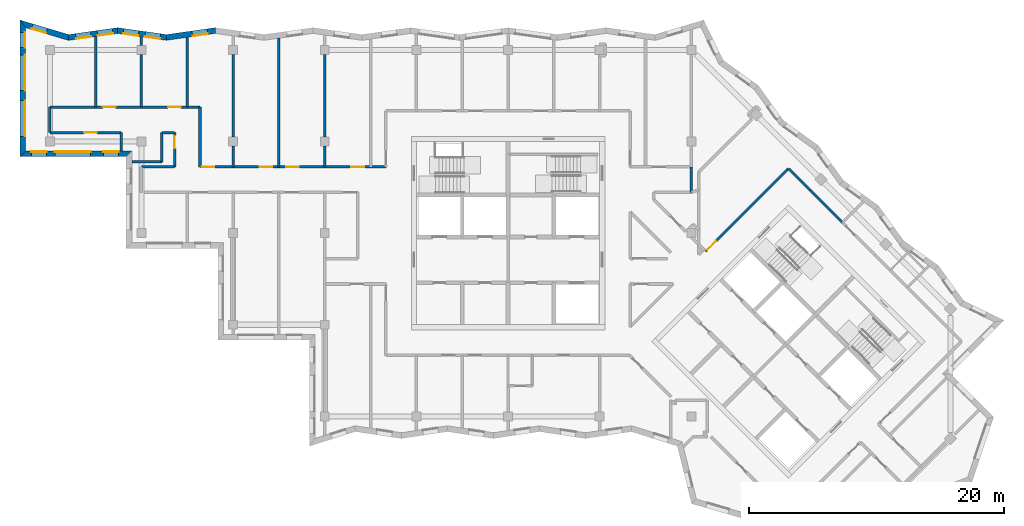
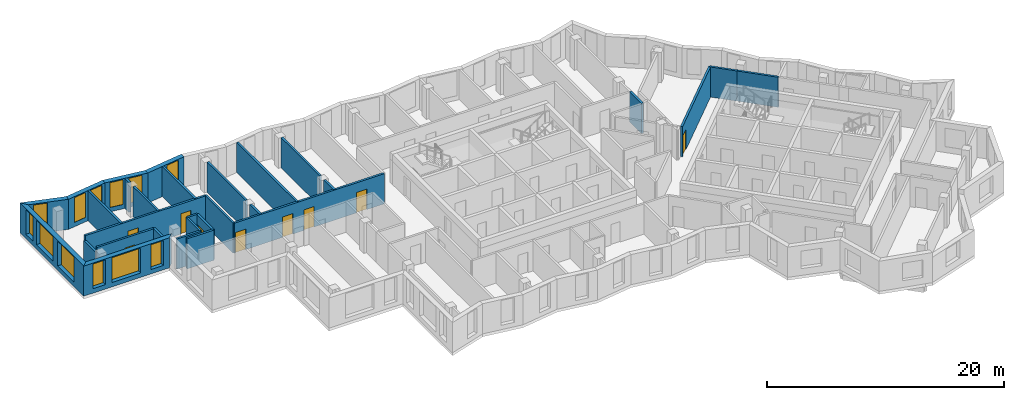
# One storey, part 5 of 11: 30 walls, 12 windows, 9 doors, 21 openings.
"""IFC4 building model written with IfcOpenShell, lengths in metres."""

from ifc_helpers import new_model, si_unit, direction, frame, frame_2d, origin, place, context, subcontext, project, spatial, polyline, rectangle, outline, extrude, material, layer, layer_set, type_object, element, fill, save


model = new_model("IFC4")

# Units and contexts
model_context = context("Model", 3, precision=1e-05, world=origin(), true_north=direction((0.0, 1.0)))
body_context = subcontext(model_context, "Body", "Model", "MODEL_VIEW")
ifc_project = project(units=[si_unit("LENGTHUNIT", "METRE"), si_unit("AREAUNIT", "SQUARE_METRE"), si_unit("VOLUMEUNIT", "CUBIC_METRE"), si_unit("PLANEANGLEUNIT", "RADIAN"), si_unit("MASSUNIT", "GRAM", prefix="KILO")], contexts=[model_context])

# Site, building, storey
site_placement = place(None, origin())
site = spatial("IfcSite", under=ifc_project, at=site_placement, CompositionType="ELEMENT")
building_placement = place(site_placement, origin())
building = spatial("IfcBuilding", under=site, at=building_placement, Name="Windrow Commons", CompositionType="ELEMENT")
storey_placement = place(building_placement, frame((0.0, 0.0, 271.0)))
storey = spatial("IfcBuildingStorey", under=building, at=storey_placement, Name="L74", CompositionType="ELEMENT", Elevation=271.0)

# Wall, opening, window
ifc_material_1 = material(Name="Brick masonry, red clay brick", Category="masonry")
ifc_layer_1 = layer(ifc_material_1, 0.45)
ifc_layer_set_1 = layer_set([ifc_layer_1], Name="Brick facade wall 450")
wall_type_1 = type_object("IfcWallType", Name="Brick facade wall 450", PredefinedType="SOLIDWALL", material=ifc_layer_set_1)
wall_1_placement = place(storey_placement, frame((41.8043, 73.5148, 0.0), z_axis=(0.0, 0.0, 1.0), x_axis=(-0.9901681853, -0.1398819675, 0.0)))
wall_1 = element("IfcWall", 1, at=wall_1_placement, inside=storey, type_object=wall_type_1, Name="Brick facade wall L74 27", PredefinedType="SOLIDWALL", context=body_context, shape_type="SweptSolid", body=[
    extrude(outline(polyline([(-0.0318, -0.225), (3.8429, -0.225), (3.9065, 0.225), (0.0318, 0.225), (-0.0318, -0.225)])), origin(), (0.0, 0.0, 1.0), 3.1),
])
opening_1_placement = place(wall_1_placement, frame((0.629, 0.0, 0.45)))
opening_1 = element("IfcOpeningElement", 2, at=opening_1_placement, cuts=wall_1, Name="Opening W7F", PredefinedType="OPENING", context=body_context, shape_type="SweptSolid", body=[
    extrude(rectangle(XDim=1.2, YDim=2.55, at=frame_2d((0.6, 1.275))), frame((0.0, 0.235, 0.0), z_axis=(0.0, -1.0, 0.0), x_axis=(1.0, 0.0, 0.0)), (0.0, 0.0, 1.0), 0.47),
])
ifc_material_2 = material(Name="Clear float glass in anodised aluminium frame", Category="aluminium")
window_type_1 = type_object("IfcWindowType", Name="Window W7 notch 1200x2550", PartitioningType="SINGLE_PANEL", PredefinedType="WINDOW", material=ifc_material_2)
window_1_placement = place(opening_1_placement, origin())
window_1 = element("IfcWindow", 3, at=window_1_placement, inside=storey, type_object=window_type_1, Name="Window L74 27.1", OverallHeight=2.55, OverallWidth=1.2, PartitioningType="SINGLE_PANEL", PredefinedType="WINDOW", context=body_context, shape_type="SweptSolid", body=[
    extrude(rectangle(XDim=1.2, YDim=2.55, at=frame_2d((0.6, 1.275))), frame((0.0, 0.205, 0.0), z_axis=(0.0, -1.0, 0.0), x_axis=(1.0, 0.0, 0.0)), (0.0, 0.0, 1.0), 0.06),
])
fill(opening_1, window_1)

# Wall, openings, windows
wall_2_placement = place(storey_placement, frame((37.9677, 72.9728, 0.0), z_axis=(0.0, 0.0, 1.0), x_axis=(-0.9901676803, 0.1398855422, 0.0)))
wall_2 = element("IfcWall", 4, at=wall_2_placement, inside=storey, type_object=wall_type_1, Name="Brick facade wall L74 28", PredefinedType="SOLIDWALL", context=body_context, shape_type="SweptSolid", body=[
    extrude(outline(polyline([(0.0318, -0.225), (3.9065, -0.225), (3.8429, 0.225), (-0.0318, 0.225), (0.0318, -0.225)])), origin(), (0.0, 0.0, 1.0), 3.1),
])
opening_2_placement = place(wall_2_placement, frame((0.4936, 0.0, 0.45)))
opening_2 = element("IfcOpeningElement", 5, at=opening_2_placement, cuts=wall_2, Name="Opening W7F", PredefinedType="OPENING", context=body_context, shape_type="SweptSolid", body=[
    extrude(rectangle(XDim=1.2, YDim=2.55, at=frame_2d((0.6, 1.275))), frame((0.0, 0.235, 0.0), z_axis=(0.0, -1.0, 0.0), x_axis=(1.0, 0.0, 0.0)), (0.0, 0.0, 1.0), 0.47),
])
opening_3_placement = place(wall_2_placement, frame((2.2151, 0.0, 0.45)))
opening_3 = element("IfcOpeningElement", 6, at=opening_3_placement, cuts=wall_2, Name="Opening W7F", PredefinedType="OPENING", context=body_context, shape_type="SweptSolid", body=[
    extrude(rectangle(XDim=1.2, YDim=2.55, at=frame_2d((0.6, 1.275))), frame((0.0, 0.235, 0.0), z_axis=(0.0, -1.0, 0.0), x_axis=(1.0, 0.0, 0.0)), (0.0, 0.0, 1.0), 0.47),
])
window_2_placement = place(opening_2_placement, origin())
window_2 = element("IfcWindow", 7, at=window_2_placement, inside=storey, type_object=window_type_1, Name="Window L74 28.1", OverallHeight=2.55, OverallWidth=1.2, PartitioningType="SINGLE_PANEL", PredefinedType="WINDOW", context=body_context, shape_type="SweptSolid", body=[
    extrude(rectangle(XDim=1.2, YDim=2.55, at=frame_2d((0.6, 1.275))), frame((0.0, 0.205, 0.0), z_axis=(0.0, -1.0, 0.0), x_axis=(1.0, 0.0, 0.0)), (0.0, 0.0, 1.0), 0.06),
])
fill(opening_2, window_2)
window_3_placement = place(opening_3_placement, origin())
window_3 = element("IfcWindow", 8, at=window_3_placement, inside=storey, type_object=window_type_1, Name="Window L74 28.2", OverallHeight=2.55, OverallWidth=1.2, PartitioningType="SINGLE_PANEL", PredefinedType="WINDOW", context=body_context, shape_type="SweptSolid", body=[
    extrude(rectangle(XDim=1.2, YDim=2.55, at=frame_2d((0.6, 1.275))), frame((0.0, 0.205, 0.0), z_axis=(0.0, -1.0, 0.0), x_axis=(1.0, 0.0, 0.0)), (0.0, 0.0, 1.0), 0.06),
])
fill(opening_3, window_3)

wall_3_placement = place(storey_placement, frame((34.1312, 73.5148, 0.0), z_axis=(0.0, 0.0, 1.0), x_axis=(-0.9901656891, -0.1398996361, 0.0)))
wall_3 = element("IfcWall", 9, at=wall_3_placement, inside=storey, type_object=wall_type_1, Name="Brick facade wall L74 29", PredefinedType="SOLIDWALL", context=body_context, shape_type="SweptSolid", body=[
    extrude(outline(polyline([(-0.0318, -0.225), (3.8429, -0.225), (3.9411, 0.225), (0.0318, 0.225), (-0.0318, -0.225)])), origin(), (0.0, 0.0, 1.0), 3.1),
])
opening_4_placement = place(wall_3_placement, frame((0.3901, 0.0, 0.45)))
opening_4 = element("IfcOpeningElement", 10, at=opening_4_placement, cuts=wall_3, Name="Opening W7F", PredefinedType="OPENING", context=body_context, shape_type="SweptSolid", body=[
    extrude(rectangle(XDim=1.2, YDim=2.55, at=frame_2d((0.6, 1.275))), frame((0.0, 0.235, 0.0), z_axis=(0.0, -1.0, 0.0), x_axis=(1.0, 0.0, 0.0)), (0.0, 0.0, 1.0), 0.47),
])
opening_5_placement = place(wall_3_placement, frame((2.1202, 0.0, 0.45)))
opening_5 = element("IfcOpeningElement", 11, at=opening_5_placement, cuts=wall_3, Name="Opening W7F", PredefinedType="OPENING", context=body_context, shape_type="SweptSolid", body=[
    extrude(rectangle(XDim=1.2, YDim=2.55, at=frame_2d((0.6, 1.275))), frame((0.0, 0.235, 0.0), z_axis=(0.0, -1.0, 0.0), x_axis=(1.0, 0.0, 0.0)), (0.0, 0.0, 1.0), 0.47),
])
window_4_placement = place(opening_4_placement, origin())
window_4 = element("IfcWindow", 12, at=window_4_placement, inside=storey, type_object=window_type_1, Name="Window L74 29.1", OverallHeight=2.55, OverallWidth=1.2, PartitioningType="SINGLE_PANEL", PredefinedType="WINDOW", context=body_context, shape_type="SweptSolid", body=[
    extrude(rectangle(XDim=1.2, YDim=2.55, at=frame_2d((0.6, 1.275))), frame((0.0, 0.205, 0.0), z_axis=(0.0, -1.0, 0.0), x_axis=(1.0, 0.0, 0.0)), (0.0, 0.0, 1.0), 0.06),
])
fill(opening_4, window_4)
window_5_placement = place(opening_5_placement, origin())
window_5 = element("IfcWindow", 13, at=window_5_placement, inside=storey, type_object=window_type_1, Name="Window L74 29.2", OverallHeight=2.55, OverallWidth=1.2, PartitioningType="SINGLE_PANEL", PredefinedType="WINDOW", context=body_context, shape_type="SweptSolid", body=[
    extrude(rectangle(XDim=1.2, YDim=2.55, at=frame_2d((0.6, 1.275))), frame((0.0, 0.205, 0.0), z_axis=(0.0, -1.0, 0.0), x_axis=(1.0, 0.0, 0.0)), (0.0, 0.0, 1.0), 0.06),
])
fill(opening_5, window_5)

# Wall, opening, window
wall_4_placement = place(storey_placement, frame((30.2774, 72.9703, 0.0), z_axis=(0.0, 0.0, 1.0), x_axis=(-0.9584347191, 0.2853119156, 0.0)))
wall_4 = element("IfcWall", 14, at=wall_4_placement, inside=storey, type_object=wall_type_1, Name="Brick facade wall L74 30", PredefinedType="SOLIDWALL", context=body_context, shape_type="SweptSolid", body=[
    extrude(outline(polyline([(0.0491, -0.225), (4.052, -0.225), (3.4486, 0.225), (-0.0491, 0.225), (0.0491, -0.225)])), origin(), (0.0, 0.0, 1.0), 3.1),
])
opening_6_placement = place(wall_4_placement, frame((1.795, 0.0, 0.45)))
opening_6 = element("IfcOpeningElement", 15, at=opening_6_placement, cuts=wall_4, Name="Opening W7F", PredefinedType="OPENING", context=body_context, shape_type="SweptSolid", body=[
    extrude(rectangle(XDim=1.2, YDim=2.55, at=frame_2d((0.6, 1.275))), frame((0.0, 0.235, 0.0), z_axis=(0.0, -1.0, 0.0), x_axis=(1.0, 0.0, 0.0)), (0.0, 0.0, 1.0), 0.47),
])
window_6_placement = place(opening_6_placement, origin())
window_6 = element("IfcWindow", 16, at=window_6_placement, inside=storey, type_object=window_type_1, Name="Window L74 30.1", OverallHeight=2.55, OverallWidth=1.2, PartitioningType="SINGLE_PANEL", PredefinedType="WINDOW", context=body_context, shape_type="SweptSolid", body=[
    extrude(rectangle(XDim=1.2, YDim=2.55, at=frame_2d((0.6, 1.275))), frame((0.0, 0.205, 0.0), z_axis=(0.0, -1.0, 0.0), x_axis=(1.0, 0.0, 0.0)), (0.0, 0.0, 1.0), 0.06),
])
fill(opening_6, window_6)

# Wall, openings, windows
wall_5_placement = place(storey_placement, frame((26.683, 74.0403, 0.0), z_axis=(0.0, 0.0, 1.0), x_axis=(0.0, -1.0, 0.0)))
wall_5 = element("IfcWall", 17, at=wall_5_placement, inside=storey, type_object=wall_type_1, Name="Brick facade wall L74 31", PredefinedType="SOLIDWALL", context=body_context, shape_type="SweptSolid", body=[
    extrude(outline(polyline([(-0.3017, -0.225), (10.4403, -0.225), (9.9903, 0.225), (0.3017, 0.225), (-0.3017, -0.225)])), origin(), (0.0, 0.0, 1.0), 3.1),
])
opening_7_placement = place(wall_5_placement, frame((2.4403, 0.0, 0.45)))
opening_7 = element("IfcOpeningElement", 18, at=opening_7_placement, cuts=wall_5, Name="Opening W1V", PredefinedType="OPENING", context=body_context, shape_type="SweptSolid", body=[
    extrude(rectangle(XDim=2.8, YDim=2.55, at=frame_2d((1.4, 1.275))), frame((0.0, 0.235, 0.0), z_axis=(0.0, -1.0, 0.0), x_axis=(1.0, 0.0, 0.0)), (0.0, 0.0, 1.0), 0.47),
])
opening_8_placement = place(wall_5_placement, frame((6.0403, 0.0, 0.45)))
opening_8 = element("IfcOpeningElement", 19, at=opening_8_placement, cuts=wall_5, Name="Opening W1V", PredefinedType="OPENING", context=body_context, shape_type="SweptSolid", body=[
    extrude(rectangle(XDim=2.8, YDim=2.55, at=frame_2d((1.4, 1.275))), frame((0.0, 0.235, 0.0), z_axis=(0.0, -1.0, 0.0), x_axis=(1.0, 0.0, 0.0)), (0.0, 0.0, 1.0), 0.47),
])
opening_9_placement = place(wall_5_placement, frame((0.671, 0.0, 0.45)))
opening_9 = element("IfcOpeningElement", 20, at=opening_9_placement, cuts=wall_5, Name="Opening W7F", PredefinedType="OPENING", context=body_context, shape_type="SweptSolid", body=[
    extrude(rectangle(XDim=1.2, YDim=2.55, at=frame_2d((0.6, 1.275))), frame((0.0, 0.235, 0.0), z_axis=(0.0, -1.0, 0.0), x_axis=(1.0, 0.0, 0.0)), (0.0, 0.0, 1.0), 0.47),
])
ifc_material_3 = material(Name="Clear float glass in anodised aluminium frame", Category="aluminium")
window_type_2 = type_object("IfcWindowType", Name="Window W1V bedroom 2800x2550", PartitioningType="SINGLE_PANEL", PredefinedType="WINDOW", material=ifc_material_3)
window_7_placement = place(opening_7_placement, origin())
window_7 = element("IfcWindow", 21, at=window_7_placement, inside=storey, type_object=window_type_2, Name="Window L74 31.1", OverallHeight=2.55, OverallWidth=2.8, PartitioningType="SINGLE_PANEL", PredefinedType="WINDOW", context=body_context, shape_type="SweptSolid", body=[
    extrude(rectangle(XDim=2.8, YDim=2.55, at=frame_2d((1.4, 1.275))), frame((0.0, 0.205, 0.0), z_axis=(0.0, -1.0, 0.0), x_axis=(1.0, 0.0, 0.0)), (0.0, 0.0, 1.0), 0.06),
])
fill(opening_7, window_7)
window_8_placement = place(opening_8_placement, origin())
window_8 = element("IfcWindow", 22, at=window_8_placement, inside=storey, type_object=window_type_2, Name="Window L74 31.2", OverallHeight=2.55, OverallWidth=2.8, PartitioningType="SINGLE_PANEL", PredefinedType="WINDOW", context=body_context, shape_type="SweptSolid", body=[
    extrude(rectangle(XDim=2.8, YDim=2.55, at=frame_2d((1.4, 1.275))), frame((0.0, 0.205, 0.0), z_axis=(0.0, -1.0, 0.0), x_axis=(1.0, 0.0, 0.0)), (0.0, 0.0, 1.0), 0.06),
])
fill(opening_8, window_8)
window_9_placement = place(opening_9_placement, origin())
window_9 = element("IfcWindow", 23, at=window_9_placement, inside=storey, type_object=window_type_1, Name="Window L74 31.3", OverallHeight=2.55, OverallWidth=1.2, PartitioningType="SINGLE_PANEL", PredefinedType="WINDOW", context=body_context, shape_type="SweptSolid", body=[
    extrude(rectangle(XDim=1.2, YDim=2.55, at=frame_2d((0.6, 1.275))), frame((0.0, 0.205, 0.0), z_axis=(0.0, -1.0, 0.0), x_axis=(1.0, 0.0, 0.0)), (0.0, 0.0, 1.0), 0.06),
])
fill(opening_9, window_9)

wall_6_placement = place(storey_placement, frame((26.683, 63.825, 0.0), z_axis=(0.0, 0.0, 1.0), x_axis=(1.0, 0.0, 0.0)))
wall_6 = element("IfcWall", 24, at=wall_6_placement, inside=storey, type_object=wall_type_1, Name="Brick facade wall L74 32", PredefinedType="SOLIDWALL", context=body_context, shape_type="SweptSolid", body=[
    extrude(outline(polyline([(-0.225, -0.225), (8.117, -0.225), (8.567, 0.225), (0.225, 0.225), (-0.225, -0.225)])), origin(), (0.0, 0.0, 1.0), 3.1),
])
opening_10_placement = place(wall_6_placement, frame((2.517, 0.0, 0.45)))
opening_10 = element("IfcOpeningElement", 25, at=opening_10_placement, cuts=wall_6, Name="Opening W1V", PredefinedType="OPENING", context=body_context, shape_type="SweptSolid", body=[
    extrude(rectangle(XDim=2.8, YDim=2.55, at=frame_2d((1.4, 1.275))), frame((0.0, 0.235, 0.0), z_axis=(0.0, -1.0, 0.0), x_axis=(1.0, 0.0, 0.0)), (0.0, 0.0, 1.0), 0.47),
])
opening_11_placement = place(wall_6_placement, frame((0.671, 0.0, 0.45)))
opening_11 = element("IfcOpeningElement", 26, at=opening_11_placement, cuts=wall_6, Name="Opening W7F", PredefinedType="OPENING", context=body_context, shape_type="SweptSolid", body=[
    extrude(rectangle(XDim=1.2, YDim=2.55, at=frame_2d((0.6, 1.275))), frame((0.0, 0.235, 0.0), z_axis=(0.0, -1.0, 0.0), x_axis=(1.0, 0.0, 0.0)), (0.0, 0.0, 1.0), 0.47),
])
opening_12_placement = place(wall_6_placement, frame((6.3295, 0.0, 0.45)))
opening_12 = element("IfcOpeningElement", 27, at=opening_12_placement, cuts=wall_6, Name="Opening W7F", PredefinedType="OPENING", context=body_context, shape_type="SweptSolid", body=[
    extrude(rectangle(XDim=1.2, YDim=2.55, at=frame_2d((0.6, 1.275))), frame((0.0, 0.235, 0.0), z_axis=(0.0, -1.0, 0.0), x_axis=(1.0, 0.0, 0.0)), (0.0, 0.0, 1.0), 0.47),
])
window_10_placement = place(opening_10_placement, origin())
window_10 = element("IfcWindow", 28, at=window_10_placement, inside=storey, type_object=window_type_2, Name="Window L74 32.1", OverallHeight=2.55, OverallWidth=2.8, PartitioningType="SINGLE_PANEL", PredefinedType="WINDOW", context=body_context, shape_type="SweptSolid", body=[
    extrude(rectangle(XDim=2.8, YDim=2.55, at=frame_2d((1.4, 1.275))), frame((0.0, 0.205, 0.0), z_axis=(0.0, -1.0, 0.0), x_axis=(1.0, 0.0, 0.0)), (0.0, 0.0, 1.0), 0.06),
])
fill(opening_10, window_10)
window_11_placement = place(opening_11_placement, origin())
window_11 = element("IfcWindow", 29, at=window_11_placement, inside=storey, type_object=window_type_1, Name="Window L74 32.2", OverallHeight=2.55, OverallWidth=1.2, PartitioningType="SINGLE_PANEL", PredefinedType="WINDOW", context=body_context, shape_type="SweptSolid", body=[
    extrude(rectangle(XDim=1.2, YDim=2.55, at=frame_2d((0.6, 1.275))), frame((0.0, 0.205, 0.0), z_axis=(0.0, -1.0, 0.0), x_axis=(1.0, 0.0, 0.0)), (0.0, 0.0, 1.0), 0.06),
])
fill(opening_11, window_11)
window_12_placement = place(opening_12_placement, origin())
window_12 = element("IfcWindow", 30, at=window_12_placement, inside=storey, type_object=window_type_1, Name="Window L74 32.3", OverallHeight=2.55, OverallWidth=1.2, PartitioningType="SINGLE_PANEL", PredefinedType="WINDOW", context=body_context, shape_type="SweptSolid", body=[
    extrude(rectangle(XDim=1.2, YDim=2.55, at=frame_2d((0.6, 1.275))), frame((0.0, 0.205, 0.0), z_axis=(0.0, -1.0, 0.0), x_axis=(1.0, 0.0, 0.0)), (0.0, 0.0, 1.0), 0.06),
])
fill(opening_12, window_12)

# Wall, openings, doors
ifc_material_4 = material(Name="Blockwork partition", Category="masonry")
ifc_layer_2 = layer(ifc_material_4, 0.2)
ifc_layer_set_2 = layer_set([ifc_layer_2], Name="IW-CORRIDOR-200")
wall_type_2 = type_object("IfcWallType", Name="IW-CORRIDOR-200", PredefinedType="PARTITIONING", material=ifc_layer_set_2)
wall_7_placement = place(storey_placement, frame((40.602, 62.8, 0.0), z_axis=(0.0, 0.0, 1.0), x_axis=(1.0, 0.0, 0.0)))
wall_7 = element("IfcWall", 31, at=wall_7_placement, inside=storey, type_object=wall_type_2, Name="W-L74-W003", PredefinedType="PARTITIONING", context=body_context, shape_type="SweptSolid", body=[
    extrude(rectangle(XDim=14.598, YDim=0.2, at=frame_2d((7.299, 0.0))), origin(), (0.0, 0.0, 1.0), 3.1),
])
opening_13_placement = place(wall_7_placement, frame((0.1239, 0.0, 0.0)))
opening_13 = element("IfcOpeningElement", 32, at=opening_13_placement, cuts=wall_7, Name="Opening D310F", PredefinedType="OPENING", context=body_context, shape_type="SweptSolid", body=[
    extrude(rectangle(XDim=1.0, YDim=2.1, at=frame_2d((0.5, 1.05))), frame((0.0, 0.11, 0.0), z_axis=(0.0, -1.0, 0.0), x_axis=(1.0, 0.0, 0.0)), (0.0, 0.0, 1.0), 0.22),
])
opening_14_placement = place(wall_7_placement, frame((4.6905, 0.0, 0.0)))
opening_14 = element("IfcOpeningElement", 33, at=opening_14_placement, cuts=wall_7, Name="Opening D310F", PredefinedType="OPENING", context=body_context, shape_type="SweptSolid", body=[
    extrude(rectangle(XDim=1.0, YDim=2.1, at=frame_2d((0.5, 1.05))), frame((0.0, 0.11, 0.0), z_axis=(0.0, -1.0, 0.0), x_axis=(1.0, 0.0, 0.0)), (0.0, 0.0, 1.0), 0.22),
])
opening_15_placement = place(wall_7_placement, frame((6.7655, 0.0, 0.0)))
opening_15 = element("IfcOpeningElement", 34, at=opening_15_placement, cuts=wall_7, Name="Opening D310F", PredefinedType="OPENING", context=body_context, shape_type="SweptSolid", body=[
    extrude(rectangle(XDim=1.0, YDim=2.1, at=frame_2d((0.5, 1.05))), frame((0.0, 0.11, 0.0), z_axis=(0.0, -1.0, 0.0), x_axis=(1.0, 0.0, 0.0)), (0.0, 0.0, 1.0), 0.22),
])
opening_16_placement = place(wall_7_placement, frame((11.8905, 0.0, 0.0)))
opening_16 = element("IfcOpeningElement", 35, at=opening_16_placement, cuts=wall_7, Name="Opening D310F", PredefinedType="OPENING", context=body_context, shape_type="SweptSolid", body=[
    extrude(rectangle(XDim=1.0, YDim=2.1, at=frame_2d((0.5, 1.05))), frame((0.0, 0.11, 0.0), z_axis=(0.0, -1.0, 0.0), x_axis=(1.0, 0.0, 0.0)), (0.0, 0.0, 1.0), 0.22),
])
ifc_material_5 = material(Name="Timber door leaf", Category="wood")
door_type = type_object("IfcDoorType", Name="DT-AMENITY-1000", OperationType="SINGLE_SWING_LEFT", PredefinedType="DOOR", material=ifc_material_5)
door_1_placement = place(opening_13_placement, origin())
door_1 = element("IfcDoor", 36, at=door_1_placement, inside=storey, type_object=door_type, Name="D-L74-D017", OperationType="SINGLE_SWING_LEFT", OverallHeight=2.1, OverallWidth=1.0, PredefinedType="DOOR", context=body_context, shape_type="SweptSolid", body=[
    extrude(rectangle(XDim=1.0, YDim=2.1, at=frame_2d((0.5, 1.05))), frame((0.0, 0.025, 0.0), z_axis=(0.0, -1.0, 0.0), x_axis=(1.0, 0.0, 0.0)), (0.0, 0.0, 1.0), 0.05),
])
fill(opening_13, door_1)
door_2_placement = place(opening_14_placement, origin())
door_2 = element("IfcDoor", 37, at=door_2_placement, inside=storey, type_object=door_type, Name="D-L74-D018", OperationType="SINGLE_SWING_RIGHT", OverallHeight=2.1, OverallWidth=1.0, PredefinedType="DOOR", context=body_context, shape_type="SweptSolid", body=[
    extrude(rectangle(XDim=1.0, YDim=2.1, at=frame_2d((0.5, 1.05))), frame((0.0, 0.025, 0.0), z_axis=(0.0, -1.0, 0.0), x_axis=(1.0, 0.0, 0.0)), (0.0, 0.0, 1.0), 0.05),
])
fill(opening_14, door_2)
door_3_placement = place(opening_15_placement, origin())
door_3 = element("IfcDoor", 38, at=door_3_placement, inside=storey, type_object=door_type, Name="D-L74-D019", OperationType="SINGLE_SWING_LEFT", OverallHeight=2.1, OverallWidth=1.0, PredefinedType="DOOR", context=body_context, shape_type="SweptSolid", body=[
    extrude(rectangle(XDim=1.0, YDim=2.1, at=frame_2d((0.5, 1.05))), frame((0.0, 0.025, 0.0), z_axis=(0.0, -1.0, 0.0), x_axis=(1.0, 0.0, 0.0)), (0.0, 0.0, 1.0), 0.05),
])
fill(opening_15, door_3)
door_4_placement = place(opening_16_placement, origin())
door_4 = element("IfcDoor", 39, at=door_4_placement, inside=storey, type_object=door_type, Name="D-L74-D020", OperationType="SINGLE_SWING_RIGHT", OverallHeight=2.1, OverallWidth=1.0, PredefinedType="DOOR", context=body_context, shape_type="SweptSolid", body=[
    extrude(rectangle(XDim=1.0, YDim=2.1, at=frame_2d((0.5, 1.05))), frame((0.0, 0.025, 0.0), z_axis=(0.0, -1.0, 0.0), x_axis=(1.0, 0.0, 0.0)), (0.0, 0.0, 1.0), 0.05),
])
fill(opening_16, door_4)

wall_8_placement = place(storey_placement, frame((28.802, 67.5, 0.0), z_axis=(0.0, 0.0, 1.0), x_axis=(1.0, 0.0, 0.0)))
wall_8 = element("IfcWall", 40, at=wall_8_placement, inside=storey, type_object=wall_type_2, Name="W-L74-W004", PredefinedType="PARTITIONING", context=body_context, shape_type="SweptSolid", body=[
    extrude(rectangle(XDim=11.798, YDim=0.2, at=frame_2d((5.899, 0.0))), origin(), (0.0, 0.0, 1.0), 3.1),
])
opening_17_placement = place(wall_8_placement, frame((4.1655, 0.0, 0.0)))
opening_17 = element("IfcOpeningElement", 41, at=opening_17_placement, cuts=wall_8, Name="Opening D310F", PredefinedType="OPENING", context=body_context, shape_type="SweptSolid", body=[
    extrude(rectangle(XDim=1.0, YDim=2.1, at=frame_2d((0.5, 1.05))), frame((0.0, 0.11, 0.0), z_axis=(0.0, -1.0, 0.0), x_axis=(1.0, 0.0, 0.0)), (0.0, 0.0, 1.0), 0.22),
])
opening_18_placement = place(wall_8_placement, frame((9.2905, 0.0, 0.0)))
opening_18 = element("IfcOpeningElement", 42, at=opening_18_placement, cuts=wall_8, Name="Opening D310F", PredefinedType="OPENING", context=body_context, shape_type="SweptSolid", body=[
    extrude(rectangle(XDim=1.0, YDim=2.1, at=frame_2d((0.5, 1.05))), frame((0.0, 0.11, 0.0), z_axis=(0.0, -1.0, 0.0), x_axis=(1.0, 0.0, 0.0)), (0.0, 0.0, 1.0), 0.22),
])
door_5_placement = place(opening_17_placement, origin())
door_5 = element("IfcDoor", 43, at=door_5_placement, inside=storey, type_object=door_type, Name="D-L74-D015", OperationType="SINGLE_SWING_LEFT", OverallHeight=2.1, OverallWidth=1.0, PredefinedType="DOOR", context=body_context, shape_type="SweptSolid", body=[
    extrude(rectangle(XDim=1.0, YDim=2.1, at=frame_2d((0.5, 1.05))), frame((0.0, 0.025, 0.0), z_axis=(0.0, -1.0, 0.0), x_axis=(1.0, 0.0, 0.0)), (0.0, 0.0, 1.0), 0.05),
])
fill(opening_17, door_5)
door_6_placement = place(opening_18_placement, origin())
door_6 = element("IfcDoor", 44, at=door_6_placement, inside=storey, type_object=door_type, Name="D-L74-D016", OperationType="SINGLE_SWING_RIGHT", OverallHeight=2.1, OverallWidth=1.0, PredefinedType="DOOR", context=body_context, shape_type="SweptSolid", body=[
    extrude(rectangle(XDim=1.0, YDim=2.1, at=frame_2d((0.5, 1.05))), frame((0.0, 0.025, 0.0), z_axis=(0.0, -1.0, 0.0), x_axis=(1.0, 0.0, 0.0)), (0.0, 0.0, 1.0), 0.05),
])
fill(opening_18, door_6)

# Wall, opening, door
wall_9_placement = place(storey_placement, frame((80.3315, 56.1625, 0.0), z_axis=(0.0, 0.0, 1.0), x_axis=(0.7071067812, 0.7071067812, 0.0)))
wall_9 = element("IfcWall", 45, at=wall_9_placement, inside=storey, type_object=wall_type_2, Name="W-L74-W012", PredefinedType="PARTITIONING", context=body_context, shape_type="SweptSolid", body=[
    extrude(rectangle(XDim=9.198, YDim=0.2, at=frame_2d((4.599, 0.0))), origin(), (0.0, 0.0, 1.0), 3.1),
])
opening_19_placement = place(wall_9_placement, frame((0.1428, 0.0, 0.0)))
opening_19 = element("IfcOpeningElement", 46, at=opening_19_placement, cuts=wall_9, Name="Opening D310F", PredefinedType="OPENING", context=body_context, shape_type="SweptSolid", body=[
    extrude(rectangle(XDim=1.0, YDim=2.1, at=frame_2d((0.5, 1.05))), frame((0.0, 0.11, 0.0), z_axis=(0.0, -1.0, 0.0), x_axis=(1.0, 0.0, 0.0)), (0.0, 0.0, 1.0), 0.22),
])
door_7_placement = place(opening_19_placement, origin())
door_7 = element("IfcDoor", 47, at=door_7_placement, inside=storey, type_object=door_type, Name="D-L74-D029", OperationType="SINGLE_SWING_LEFT", OverallHeight=2.1, OverallWidth=1.0, PredefinedType="DOOR", context=body_context, shape_type="SweptSolid", body=[
    extrude(rectangle(XDim=1.0, YDim=2.1, at=frame_2d((0.5, 1.05))), frame((0.0, 0.025, 0.0), z_axis=(0.0, -1.0, 0.0), x_axis=(1.0, 0.0, 0.0)), (0.0, 0.0, 1.0), 0.05),
])
fill(opening_19, door_7)

wall_10_placement = place(storey_placement, frame((28.802, 65.5, 0.0), z_axis=(0.0, 0.0, 1.0), x_axis=(1.0, 0.0, 0.0)))
wall_10 = element("IfcWall", 48, at=wall_10_placement, inside=storey, type_object=wall_type_2, Name="W-L74-W027", PredefinedType="PARTITIONING", context=body_context, shape_type="SweptSolid", body=[
    extrude(rectangle(XDim=5.598, YDim=0.2, at=frame_2d((2.799, 0.0))), origin(), (0.0, 0.0, 1.0), 3.1),
])
opening_20_placement = place(wall_10_placement, frame((2.7021, 0.0, 0.0)))
opening_20 = element("IfcOpeningElement", 49, at=opening_20_placement, cuts=wall_10, Name="Opening D310F", PredefinedType="OPENING", context=body_context, shape_type="SweptSolid", body=[
    extrude(rectangle(XDim=1.0, YDim=2.1, at=frame_2d((0.5, 1.05))), frame((0.0, 0.11, 0.0), z_axis=(0.0, -1.0, 0.0), x_axis=(1.0, 0.0, 0.0)), (0.0, 0.0, 1.0), 0.22),
])
door_8_placement = place(opening_20_placement, origin())
door_8 = element("IfcDoor", 50, at=door_8_placement, inside=storey, type_object=door_type, Name="D-L74-D014", OperationType="SINGLE_SWING_RIGHT", OverallHeight=2.1, OverallWidth=1.0, PredefinedType="DOOR", context=body_context, shape_type="SweptSolid", body=[
    extrude(rectangle(XDim=1.0, YDim=2.1, at=frame_2d((0.5, 1.05))), frame((0.0, 0.025, 0.0), z_axis=(0.0, -1.0, 0.0), x_axis=(1.0, 0.0, 0.0)), (0.0, 0.0, 1.0), 0.05),
])
fill(opening_20, door_8)

# Walls
wall_11_placement = place(storey_placement, frame((40.6, 62.802, 0.0), z_axis=(0.0, 0.0, 1.0), x_axis=(0.0, 1.0, 0.0)))
element("IfcWall", 51, at=wall_11_placement, inside=storey, type_object=wall_type_2, Name="W-L74-W038", PredefinedType="PARTITIONING", context=body_context, shape_type="SweptSolid", body=[
    extrude(rectangle(XDim=4.698, YDim=0.2, at=frame_2d((2.349, 0.0))), origin(), (0.0, 0.0, 1.0), 3.1),
])
wall_12_placement = place(storey_placement, frame((88.5373, 60.9733, 0.0), z_axis=(0.0, 0.0, 1.0), x_axis=(0.7071067812, -0.7071067812, 0.0)))
element("IfcWall", 52, at=wall_12_placement, inside=storey, type_object=wall_type_2, Name="W-L74-W051", PredefinedType="PARTITIONING", context=body_context, shape_type="SweptSolid", body=[
    extrude(rectangle(XDim=3.6006, YDim=0.2, at=frame_2d((1.8003, 0.0))), origin(), (0.0, 0.0, 1.0), 3.1),
])

# Wall, opening, door
wall_13_placement = place(storey_placement, frame((38.6, 62.802, 0.0), z_axis=(0.0, 0.0, 1.0), x_axis=(0.0, 1.0, 0.0)))
wall_13 = element("IfcWall", 53, at=wall_13_placement, inside=storey, type_object=wall_type_2, Name="W-L74-W064", PredefinedType="PARTITIONING", context=body_context, shape_type="SweptSolid", body=[
    extrude(rectangle(XDim=2.696, YDim=0.2, at=frame_2d((1.348, 0.0))), origin(), (0.0, 0.0, 1.0), 3.1),
])
opening_21_placement = place(wall_13_placement, frame((1.4503, 0.0, 0.0)))
opening_21 = element("IfcOpeningElement", 54, at=opening_21_placement, cuts=wall_13, Name="Opening D310F", PredefinedType="OPENING", context=body_context, shape_type="SweptSolid", body=[
    extrude(rectangle(XDim=1.0, YDim=2.1, at=frame_2d((0.5, 1.05))), frame((0.0, 0.11, 0.0), z_axis=(0.0, -1.0, 0.0), x_axis=(1.0, 0.0, 0.0)), (0.0, 0.0, 1.0), 0.22),
])
door_9_placement = place(opening_21_placement, origin())
door_9 = element("IfcDoor", 55, at=door_9_placement, inside=storey, type_object=door_type, Name="D-L74-D001", OperationType="SINGLE_SWING_LEFT", OverallHeight=2.1, OverallWidth=1.0, PredefinedType="DOOR", context=body_context, shape_type="SweptSolid", body=[
    extrude(rectangle(XDim=1.0, YDim=2.1, at=frame_2d((0.5, 1.05))), frame((0.0, 0.025, 0.0), z_axis=(0.0, -1.0, 0.0), x_axis=(1.0, 0.0, 0.0)), (0.0, 0.0, 1.0), 0.05),
])
fill(opening_21, door_9)

# Walls
wall_14_placement = place(storey_placement, frame((36.002, 62.8, 0.0), z_axis=(0.0, 0.0, 1.0), x_axis=(1.0, 0.0, 0.0)))
element("IfcWall", 56, at=wall_14_placement, inside=storey, type_object=wall_type_2, Name="W-L74-W067", PredefinedType="PARTITIONING", context=body_context, shape_type="SweptSolid", body=[
    extrude(rectangle(XDim=2.598, YDim=0.2, at=frame_2d((1.299, 0.0))), origin(), (0.0, 0.0, 1.0), 3.1),
])
wall_15_placement = place(storey_placement, frame((86.8333, 62.6633, 0.0), z_axis=(0.0, 0.0, 1.0), x_axis=(0.7075233388, -0.706689978, 0.0)))
element("IfcWall", 57, at=wall_15_placement, inside=storey, type_object=wall_type_2, Name="W-L74-W072", PredefinedType="PARTITIONING", context=body_context, shape_type="SweptSolid", body=[
    extrude(rectangle(XDim=2.3999, YDim=0.2, at=frame_2d((1.2, 0.0))), origin(), (0.0, 0.0, 1.0), 3.1),
])
wall_16_placement = place(storey_placement, frame((35.25, 63.2, 0.0), z_axis=(0.0, 0.0, 1.0), x_axis=(1.0, 0.0, 0.0)))
element("IfcWall", 58, at=wall_16_placement, inside=storey, type_object=wall_type_2, Name="W-L74-W074", PredefinedType="PARTITIONING", context=body_context, shape_type="SweptSolid", body=[
    extrude(rectangle(XDim=2.348, YDim=0.2, at=frame_2d((1.174, 0.0))), origin(), (0.0, 0.0, 1.0), 3.1),
])
wall_17_placement = place(storey_placement, frame((37.6, 63.202, 0.0), z_axis=(0.0, 0.0, 1.0), x_axis=(0.0, 1.0, 0.0)))
element("IfcWall", 59, at=wall_17_placement, inside=storey, type_object=wall_type_2, Name="W-L74-W075", PredefinedType="PARTITIONING", context=body_context, shape_type="SweptSolid", body=[
    extrude(rectangle(XDim=2.296, YDim=0.2, at=frame_2d((1.148, 0.0))), origin(), (0.0, 0.0, 1.0), 3.1),
])
wall_18_placement = place(storey_placement, frame((79.2, 60.8, 0.0), z_axis=(0.0, 0.0, 1.0), x_axis=(0.0, 1.0, 0.0)))
element("IfcWall", 60, at=wall_18_placement, inside=storey, type_object=wall_type_2, Name="W-L74-W080", PredefinedType="PARTITIONING", context=body_context, shape_type="SweptSolid", body=[
    extrude(rectangle(XDim=2.0, YDim=0.2, at=frame_2d((1.0, 0.0))), origin(), (0.0, 0.0, 1.0), 3.1),
])
wall_19_placement = place(storey_placement, frame((28.8, 65.5, 0.0), z_axis=(0.0, 0.0, 1.0), x_axis=(0.0, 1.0, 0.0)))
element("IfcWall", 61, at=wall_19_placement, inside=storey, type_object=wall_type_2, Name="W-L74-W082", PredefinedType="PARTITIONING", context=body_context, shape_type="SweptSolid", body=[
    extrude(rectangle(XDim=1.998, YDim=0.2, at=frame_2d((0.999, 0.0))), origin(), (0.0, 0.0, 1.0), 2.6),
])
wall_20_placement = place(storey_placement, frame((34.4, 64.05, 0.0), z_axis=(0.0, 0.0, 1.0), x_axis=(0.0, 1.0, 0.0)))
element("IfcWall", 62, at=wall_20_placement, inside=storey, type_object=wall_type_2, Name="W-L74-W091", PredefinedType="PARTITIONING", context=body_context, shape_type="SweptSolid", body=[
    extrude(rectangle(XDim=1.448, YDim=0.2, at=frame_2d((0.724, 0.0))), origin(), (0.0, 0.0, 1.0), 3.1),
])
wall_21_placement = place(storey_placement, frame((37.602, 65.5, 0.0), z_axis=(0.0, 0.0, 1.0), x_axis=(1.0, 0.0, 0.0)))
element("IfcWall", 63, at=wall_21_placement, inside=storey, type_object=wall_type_2, Name="W-L74-W096", PredefinedType="PARTITIONING", context=body_context, shape_type="SweptSolid", body=[
    extrude(rectangle(XDim=0.998, YDim=0.2, at=frame_2d((0.499, 0.0))), origin(), (0.0, 0.0, 1.0), 3.1),
])
ifc_material_6 = material(Name="Blockwork partition", Category="masonry")
ifc_layer_3 = layer(ifc_material_6, 0.2)
ifc_layer_set_3 = layer_set([ifc_layer_3], Name="IW-PARTY-200")
wall_type_3 = type_object("IfcWallType", Name="IW-PARTY-200", PredefinedType="PARTITIONING", material=ifc_layer_set_3)
wall_22_placement = place(storey_placement, frame((46.8, 62.8, 0.0), z_axis=(0.0, 0.0, 1.0), x_axis=(0.0, 1.0, 0.0)))
element("IfcWall", 64, at=wall_22_placement, inside=storey, type_object=wall_type_3, Name="W-L74-W008", PredefinedType="PARTITIONING", context=body_context, shape_type="SweptSolid", body=[
    extrude(rectangle(XDim=10.1093, YDim=0.2, at=frame_2d((5.0546, 0.0))), origin(), (0.0, 0.0, 1.0), 3.1),
])
for number, where, z_axis, x_axis, name in (
    (65, (43.2, 65.15, 0.0), (0.0, 0.0, 1.0), (0.0, 1.0, 0.0), "W-L74-W017"),
    (66, (50.4, 65.15, 0.0), (0.0, 0.0, 1.0), (0.0, 1.0, 0.0), "W-L74-W019"),
):
    element("IfcWall", number, at=place(storey_placement, frame(where, z_axis=z_axis, x_axis=x_axis)), inside=storey, type_object=wall_type_3, Name=name, PredefinedType="PARTITIONING", context=body_context, shape_type="SweptSolid", body=[
        extrude(rectangle(XDim=6.5, YDim=0.2, at=frame_2d((3.25, 0.0))), origin(), (0.0, 0.0, 1.0), 3.1),
    ])
wall_23_placement = place(storey_placement, frame((32.4, 67.5, 0.0), z_axis=(0.0, 0.0, 1.0), x_axis=(0.0, 1.0, 0.0)))
element("IfcWall", 67, at=wall_23_placement, inside=storey, type_object=wall_type_3, Name="W-L74-W030", PredefinedType="PARTITIONING", context=body_context, shape_type="SweptSolid", body=[
    extrude(rectangle(XDim=5.543, YDim=0.2, at=frame_2d((2.7715, 0.0))), origin(), (0.0, 0.0, 1.0), 3.1),
])
wall_24_placement = place(storey_placement, frame((39.6, 67.5, 0.0), z_axis=(0.0, 0.0, 1.0), x_axis=(0.0, 1.0, 0.0)))
element("IfcWall", 68, at=wall_24_placement, inside=storey, type_object=wall_type_3, Name="W-L74-W031", PredefinedType="PARTITIONING", context=body_context, shape_type="SweptSolid", body=[
    extrude(rectangle(XDim=5.4761, YDim=0.2, at=frame_2d((2.738, 0.0))), origin(), (0.0, 0.0, 1.0), 3.1),
])
wall_25_placement = place(storey_placement, frame((36.0, 67.5, 0.0), z_axis=(0.0, 0.0, 1.0), x_axis=(0.0, 1.0, 0.0)))
element("IfcWall", 69, at=wall_25_placement, inside=storey, type_object=wall_type_3, Name="W-L74-W048", PredefinedType="PARTITIONING", context=body_context, shape_type="SweptSolid", body=[
    extrude(rectangle(XDim=4.15, YDim=0.2, at=frame_2d((2.075, 0.0))), origin(), (0.0, 0.0, 1.0), 3.1),
])
for number, where, z_axis, x_axis, name in (
    (70, (43.2, 62.8, 0.0), (0.0, 0.0, 1.0), (0.0, 1.0, 0.0), "W-L74-W086"),
    (71, (50.4, 62.8, 0.0), (0.0, 0.0, 1.0), (0.0, 1.0, 0.0), "W-L74-W087"),
):
    element("IfcWall", number, at=place(storey_placement, frame(where, z_axis=z_axis, x_axis=x_axis)), inside=storey, type_object=wall_type_3, Name=name, PredefinedType="PARTITIONING", context=body_context, shape_type="SweptSolid", body=[
        extrude(rectangle(XDim=1.65, YDim=0.2, at=frame_2d((0.825, 0.0))), origin(), (0.0, 0.0, 1.0), 3.1),
    ])
wall_26_placement = place(storey_placement, frame((36.0, 72.35, 0.0), z_axis=(0.0, 0.0, 1.0), x_axis=(0.0, 1.0, 0.0)))
element("IfcWall", 72, at=wall_26_placement, inside=storey, type_object=wall_type_3, Name="W-L74-W111", PredefinedType="PARTITIONING", context=body_context, shape_type="SweptSolid", body=[
    extrude(rectangle(XDim=0.6735, YDim=0.2, at=frame_2d((0.3367, 0.0))), origin(), (0.0, 0.0, 1.0), 3.1),
])

save(model, "model.ifc")
